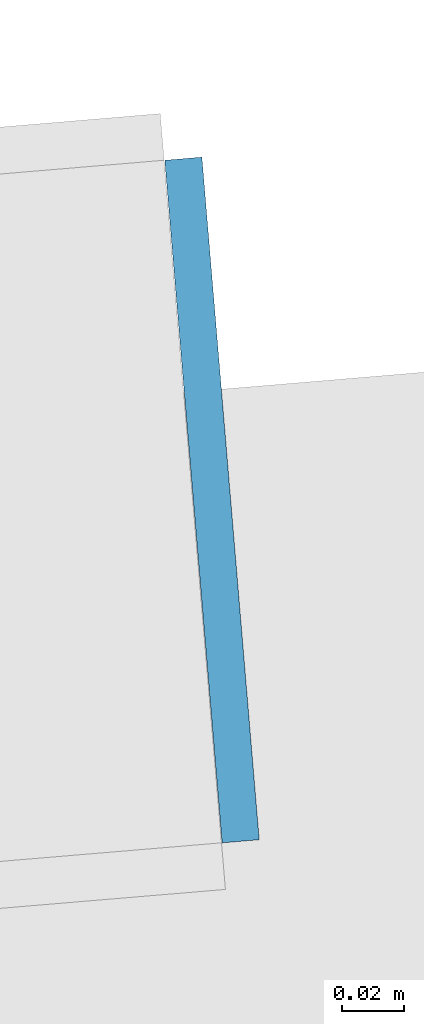
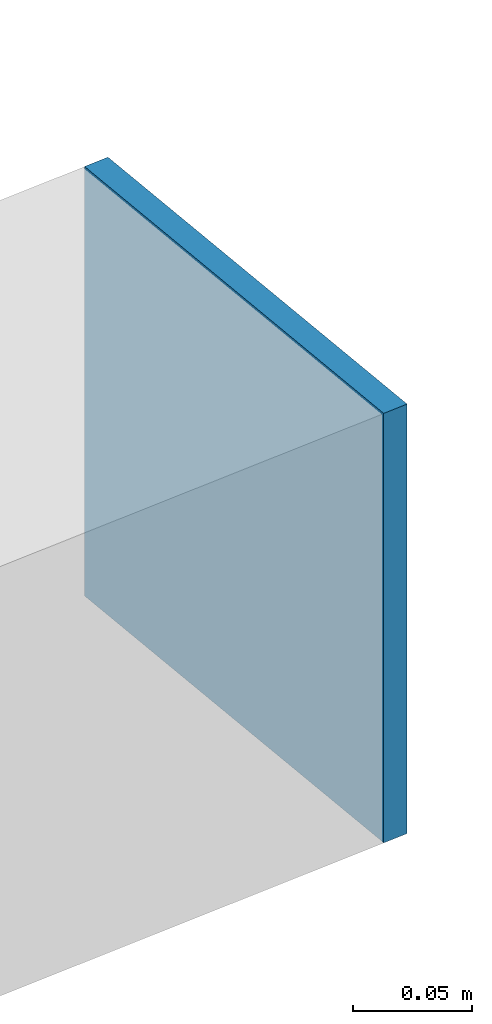
# One storey, part 34 of 39: 1 plate.
"""IFC4 building model written with IfcOpenShell, lengths in metres."""

from ifc_helpers import new_model, si_unit, direction, frame, origin, origin_2d, place, context, subcontext, project, spatial, rectangle, extrude, source, transform, mapped, material, layer, layer_set, type_object, element, save


model = new_model("IFC4")

# Units and contexts
model_context = context("Model", 3, precision=1e-05, world=origin(), true_north=direction((0.0, 1.0)))
body_context = subcontext(model_context, "Body", "Model", "MODEL_VIEW")
ifc_project = project(units=[si_unit("LENGTHUNIT", "METRE"), si_unit("AREAUNIT", "SQUARE_METRE"), si_unit("VOLUMEUNIT", "CUBIC_METRE"), si_unit("PLANEANGLEUNIT", "RADIAN"), si_unit("MASSUNIT", "GRAM", prefix="KILO")], contexts=[model_context])

# Site, building, storey
site_placement = place(None, origin())
site = spatial("IfcSite", under=ifc_project, at=site_placement, CompositionType="ELEMENT")
building_placement = place(site_placement, origin())
building = spatial("IfcBuilding", under=site, at=building_placement, Name="Taldren Reach Tower", CompositionType="ELEMENT")
storey_placement = place(building_placement, frame((0.0, 0.0, 178.85009765625)))
storey = spatial("IfcBuildingStorey", under=building, at=storey_placement, Name="L54", CompositionType="ELEMENT", Elevation=178.85009765625)

# Plate
ifc_material = material(Name="Steel Gr 450 (C450L0)", Category="steel")
ifc_layer = layer(ifc_material, 0.011962890625)
ifc_layer_set = layer_set([ifc_layer], Name="Steel Gr 450 (C450L0)")
plate_type = type_object("IfcPlateType", Name="PL-CAP-220", PredefinedType="SHEET", material=ifc_layer_set)
shared_shape = source(origin(), body_context, "Body", "SweptSolid", [
    extrude(rectangle(XDim=0.011962890625, YDim=0.219970703125, at=origin_2d()), origin(), (0.0, 0.0, 1.0), 0.219970703125),
])
plate_placement = place(storey_placement, frame((61.14697265625, 33.76220703125, 2.5400390625), z_axis=(0.0, 0.0, 1.0), x_axis=(0.99649285925, 0.083677843332, 0.0)))
element("IfcPlate", 1, at=plate_placement, inside=storey, type_object=plate_type, Name="Tie strut end cap plate B4-E3 L54", PredefinedType="SHEET", context=body_context, shape_type="MappedRepresentation", body=[
    mapped(shared_shape, transform((0.0, 0.0, 0.0), scale=1.0)),
])

save(model, "model.ifc")
